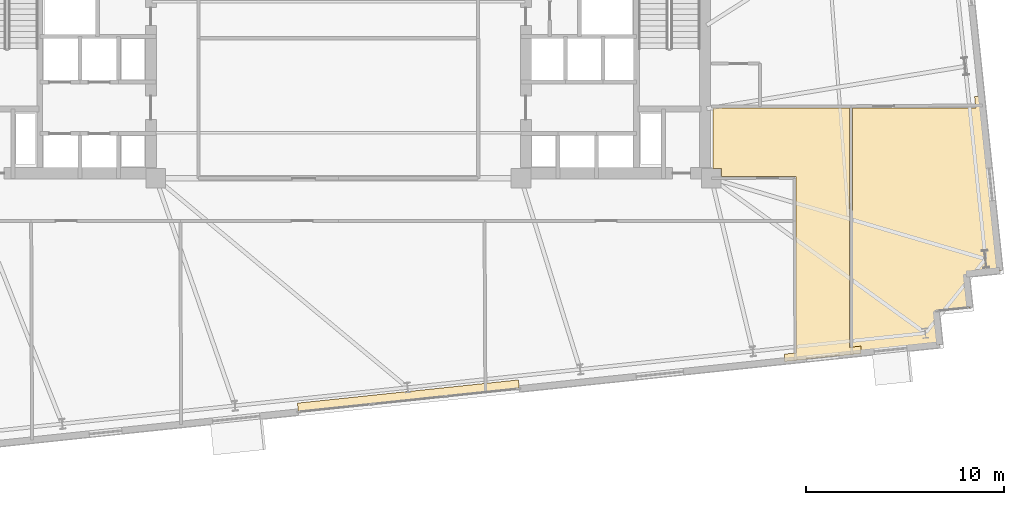
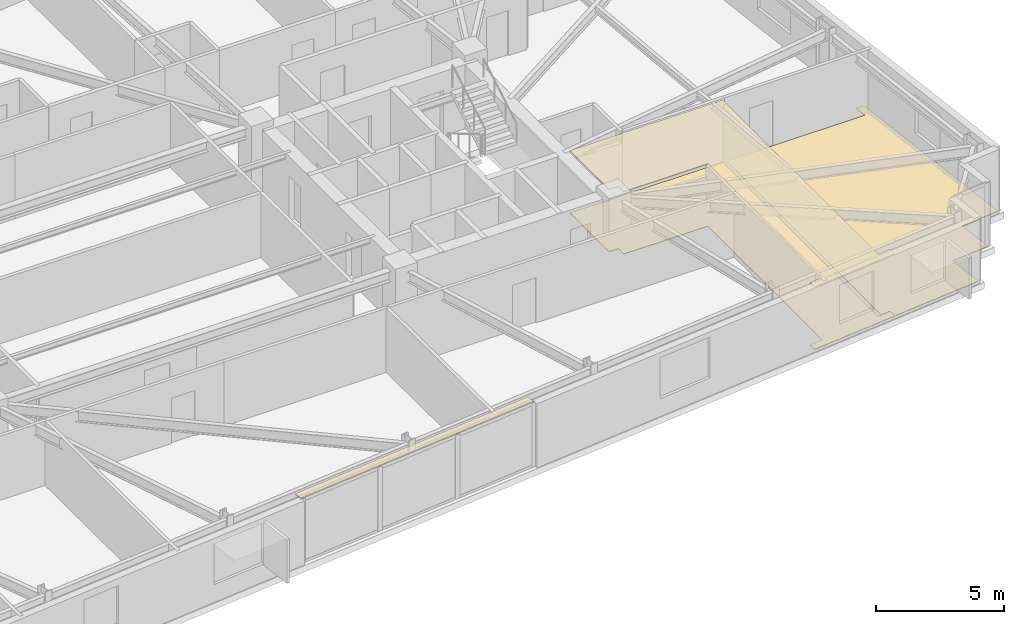
# One storey, part 22 of 23: 4 coverings.
"""IFC4 building model written with IfcOpenShell, lengths in metres."""

from ifc_helpers import new_model, si_unit, direction, frame, origin, place, context, subcontext, project, spatial, polyline, outline, extrude, material, layer, layer_set, type_object, element, save


model = new_model("IFC4")

# Units and contexts
model_context = context("Model", 3, precision=1e-05, world=origin(), true_north=direction((0.0, 1.0)))
body_context = subcontext(model_context, "Body", "Model", "MODEL_VIEW")
ifc_project = project(units=[si_unit("LENGTHUNIT", "METRE"), si_unit("AREAUNIT", "SQUARE_METRE"), si_unit("VOLUMEUNIT", "CUBIC_METRE"), si_unit("PLANEANGLEUNIT", "RADIAN"), si_unit("MASSUNIT", "GRAM", prefix="KILO")], contexts=[model_context])

# Site, building, storey
site_placement = place(None, origin())
site = spatial("IfcSite", under=ifc_project, at=site_placement, CompositionType="ELEMENT")
building_placement = place(site_placement, origin())
building = spatial("IfcBuilding", under=site, at=building_placement, Name="Qobustan Lattice House", CompositionType="ELEMENT")
storey_placement = place(building_placement, frame((0.0, 0.0, 95.75)))
storey = spatial("IfcBuildingStorey", under=building, at=storey_placement, Name="L26", CompositionType="ELEMENT", Elevation=95.75)

# Coverings
ifc_material_1 = material(Name="Perforated gypsum acoustic ceiling", Category="gypsum")
ifc_layer_1 = layer(ifc_material_1, 0.030029296875)
ifc_layer_set_1 = layer_set([ifc_layer_1], Name="Perforated gypsum acoustic ceiling")
covering_type_1 = type_object("IfcCoveringType", Name="COV-ACOUSTIC-CEIL", PredefinedType="CEILING", material=ifc_layer_set_1)
covering_1_placement = place(storey_placement, frame((0.0, 0.0, 2.955078125)))
element("IfcCovering", 1, at=covering_1_placement, inside=storey, type_object=covering_type_1, Name="L26 Focus study room E1A acoustic ceiling", PredefinedType="CEILING", context=body_context, shape_type="SweptSolid", body=[
    extrude(outline(polyline([(26.335693359375, -14.433349609375), (26.335693359375, -14.061279296875), (25.755859375, -14.122314453125), (25.755859375, -2.052001953125), (18.8798828125, -2.052001953125), (18.8798828125, -5.097900390625), (19.302001953125, -5.097900390625), (19.302001953125, -5.52001953125), (23.080078125, -5.52001953125), (23.080078125, -14.403564453125), (22.5, -14.46435546875), (22.5, -14.83642578125), (26.335693359375, -14.433349609375)])), origin(), (0.0, 0.0, 1.0), 0.030029296875),
])
ifc_material_2 = material(Name="Honed Absheron stone terrazzo flooring", Category="masonry")
ifc_layer_2 = layer(ifc_material_2, 0.02490234375)
ifc_layer_set_2 = layer_set([ifc_layer_2], Name="Honed Absheron stone terrazzo flooring")
covering_type_2 = type_object("IfcCoveringType", Name="COV-TERRAZZO-FLR", PredefinedType="FLOORING", material=ifc_layer_set_2)
covering_2_placement = place(storey_placement, origin())
element("IfcCovering", 2, at=covering_2_placement, inside=storey, type_object=covering_type_2, Name="L26 Focus study room E1A stone terrazzo flooring", PredefinedType="FLOORING", context=body_context, shape_type="SweptSolid", body=[
    extrude(outline(polyline([(26.335693359375, -14.433349609375), (26.335693359375, -14.061279296875), (25.755859375, -14.122314453125), (25.755859375, -2.052001953125), (18.8798828125, -2.052001953125), (18.8798828125, -5.097900390625), (19.302001953125, -5.097900390625), (19.302001953125, -5.52001953125), (23.080078125, -5.52001953125), (23.080078125, -14.403564453125), (22.5, -14.46435546875), (22.5, -14.83642578125), (26.335693359375, -14.433349609375)])), origin(), (0.0, 0.0, 1.0), 0.02490234375),
])
covering_3_placement = place(storey_placement, origin())
element("IfcCovering", 3, at=covering_3_placement, inside=storey, type_object=covering_type_2, Name="L26 Focus study room E1B stone terrazzo flooring", PredefinedType="FLOORING", context=body_context, shape_type="SweptSolid", body=[
    extrude(outline(polyline([(33.3662109375, -10.275634765625), (32.44091796875, -1.471923828125), (32.06884765625, -1.471923828125), (32.1298828125, -2.052001953125), (25.915771484375, -2.052001953125), (25.915771484375, -14.10546875), (25.335693359375, -14.16650390625), (25.335693359375, -14.538330078125), (30.34033203125, -14.012451171875), (30.16259765625, -12.32177734375), (31.853271484375, -12.14404296875), (31.675537109375, -10.453369140625), (33.3662109375, -10.275634765625)])), origin(), (0.0, 0.0, 1.0), 0.02490234375),
])
ifc_material_3 = material(Name="Persian walnut timber lining", Category="wood")
ifc_layer_3 = layer(ifc_material_3, 0.0380859375)
ifc_layer_set_3 = layer_set([ifc_layer_3], Name="Persian walnut timber lining")
covering_type_3 = type_object("IfcCoveringType", Name="COV-WALNUT-IWAN", PredefinedType="CLADDING", material=ifc_layer_set_3)
covering_4_placement = place(storey_placement, frame((0.0, 0.0, 3.007080078125)))
element("IfcCovering", 4, at=covering_4_placement, inside=storey, type_object=covering_type_3, Name="L26 IWAN-2 Persian walnut soffit cladding", PredefinedType="CLADDING", context=body_context, shape_type="SweptSolid", body=[
    extrude(outline(polyline([(9.118896484375, -16.16259765625), (-2.02001953125, -17.333251953125), (-2.061767578125, -16.935302734375), (9.076904296875, -15.7646484375), (9.118896484375, -16.16259765625)])), origin(), (0.0, 0.0, 1.0), 0.037841796875),
])

save(model, "model.ifc")
